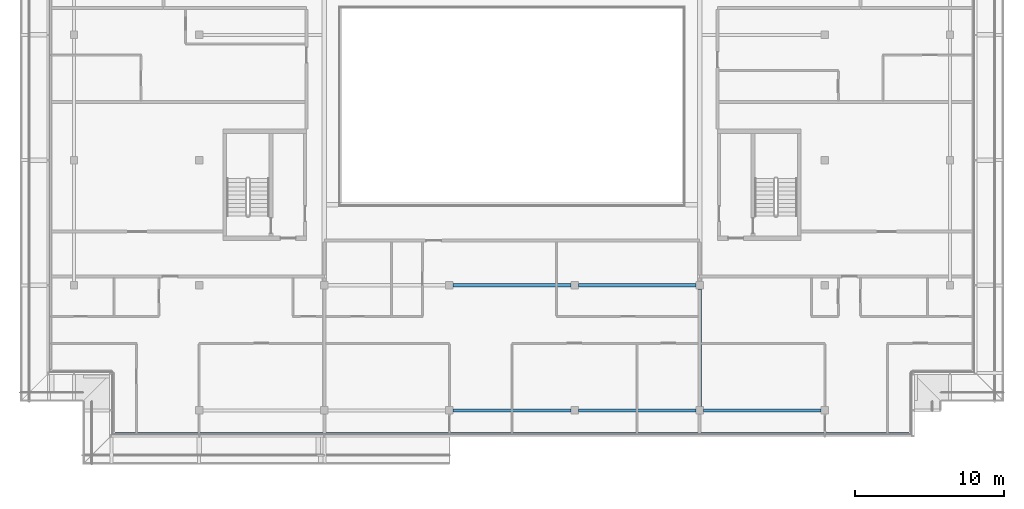
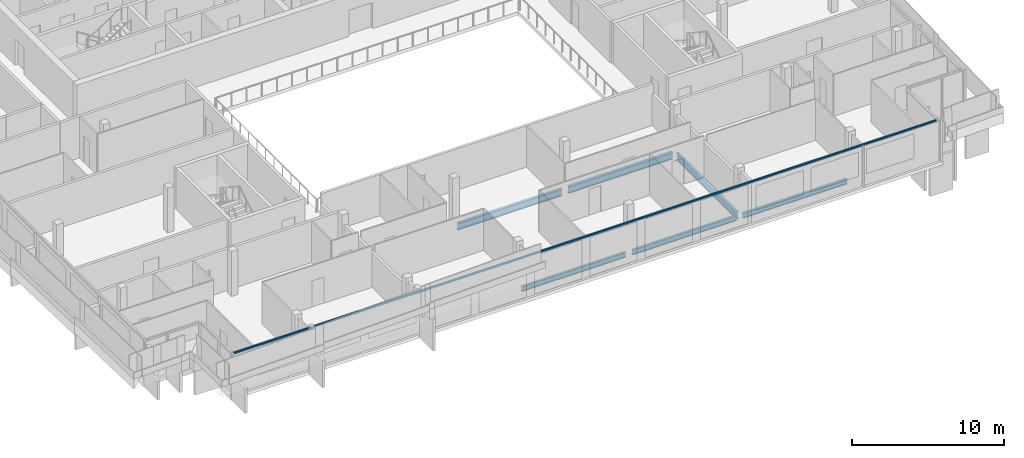
# One storey, part 5 of 27: 6 beams, 1 member, 1 element without a shape of its own.
"""IFC4 building model written with IfcOpenShell, lengths in metres."""

from ifc_helpers import new_model, si_unit, direction, frame, origin, origin_2d, place, context, subcontext, project, spatial, rectangle, i_section, extrude, material, material_profile, profile_set, type_object, element, aggregate, save


model = new_model("IFC4")

# Units and contexts
model_context = context("Model", 3, precision=1e-05, world=origin(), true_north=direction((0.0, 1.0)))
body_context = subcontext(model_context, "Body", "Model", "MODEL_VIEW")
ifc_project = project(units=[si_unit("LENGTHUNIT", "METRE"), si_unit("AREAUNIT", "SQUARE_METRE"), si_unit("VOLUMEUNIT", "CUBIC_METRE"), si_unit("PLANEANGLEUNIT", "RADIAN"), si_unit("MASSUNIT", "GRAM", prefix="KILO")], contexts=[model_context])

# Site, building, storey
site_placement = place(None, origin())
site = spatial("IfcSite", under=ifc_project, at=site_placement, CompositionType="ELEMENT")
building_placement = place(site_placement, origin())
building = spatial("IfcBuilding", under=site, at=building_placement, Name="Saffron Gate Tower", CompositionType="ELEMENT")
storey_placement = place(building_placement, frame((0.0, 0.0, 274.35009765625)))
storey = spatial("IfcBuildingStorey", under=building, at=storey_placement, Name="L66", CompositionType="ELEMENT", Elevation=274.35009765625)

# Beams
ifc_material_1 = material(Name="Structural steel S355", Category="steel")
ifc_material_profile_1 = material_profile(ifc_material_1, i_section(OverallWidth=0.2099609375, OverallDepth=0.550048828125, WebThickness=0.010986328125, FlangeThickness=0.01708984375, FilletRadius=0.02392578125, at=origin_2d()))
ifc_profile_set_1 = profile_set([ifc_material_profile_1], Name="Structural steel S355")
beam_type_1 = type_object("IfcBeamType", Name="B12 IPE 550", PredefinedType="BEAM", material=ifc_profile_set_1)
beam_1_placement = place(storey_placement, frame((100.199951171875, 32.050048828125, -0.55517578125), z_axis=(0.0, 1.0, 0.0), x_axis=(-1.0, 0.0, 0.0)))
element("IfcBeam", 1, at=beam_1_placement, inside=storey, type_object=beam_type_1, Name="B12 FLOOR GIRDER", PredefinedType="BEAM", context=body_context, shape_type="SweptSolid", body=[
    extrude(i_section(OverallWidth=0.2099609375, OverallDepth=0.550048828125, WebThickness=0.010986328125, FlangeThickness=0.01708984375, FilletRadius=0.02392578125, at=origin_2d()), origin(), (0.0, 0.0, 1.0), 7.89990234375),
])
beam_2_placement = place(storey_placement, frame((83.64990234375, 40.199951171875, -0.55517578125), z_axis=(1.0, 0.0, 0.0), x_axis=(0.0, 1.0, 0.0)))
element("IfcBeam", 2, at=beam_2_placement, inside=storey, type_object=beam_type_1, Name="B12 FLOOR GIRDER", PredefinedType="BEAM", context=body_context, shape_type="SweptSolid", body=[
    extrude(i_section(OverallWidth=0.2099609375, OverallDepth=0.550048828125, WebThickness=0.010986328125, FlangeThickness=0.01708984375, FilletRadius=0.02392578125, at=origin_2d()), origin(), (0.0, 0.0, 1.0), 7.900146484375),
])
beam_3_placement = place(storey_placement, frame((92.050048828125, 40.199951171875, -0.55517578125), z_axis=(1.0, 0.0, 0.0), x_axis=(0.0, 1.0, 0.0)))
element("IfcBeam", 3, at=beam_3_placement, inside=storey, type_object=beam_type_1, Name="B12 FLOOR GIRDER", PredefinedType="BEAM", context=body_context, shape_type="SweptSolid", body=[
    extrude(i_section(OverallWidth=0.2099609375, OverallDepth=0.550048828125, WebThickness=0.010986328125, FlangeThickness=0.01708984375, FilletRadius=0.02392578125, at=origin_2d()), origin(), (0.0, 0.0, 1.0), 7.89990234375),
])
ifc_material_profile_2 = material_profile(ifc_material_1, i_section(OverallWidth=0.179931640625, OverallDepth=0.39990234375, WebThickness=0.008544921875, FlangeThickness=0.013427734375, FilletRadius=0.02099609375, at=origin_2d()))
ifc_profile_set_2 = profile_set([ifc_material_profile_2], Name="Structural steel S355")
beam_type_2 = type_object("IfcBeamType", Name="B5 IPE 400", PredefinedType="SPANDREL", material=ifc_profile_set_2)
beam_4_placement = place(storey_placement, frame((83.64990234375, 31.800048828125, -0.47998046875), z_axis=(1.0, 0.0, 0.0), x_axis=(0.0, 1.0, 0.0)))
element("IfcBeam", 4, at=beam_4_placement, inside=storey, type_object=beam_type_2, Name="B5 SPANDREL BEAM", PredefinedType="SPANDREL", context=body_context, shape_type="SweptSolid", body=[
    extrude(i_section(OverallWidth=0.179931640625, OverallDepth=0.39990234375, WebThickness=0.008544921875, FlangeThickness=0.013427734375, FilletRadius=0.02099609375, at=origin_2d()), origin(), (0.0, 0.0, 1.0), 7.900146484375),
])
beam_5_placement = place(storey_placement, frame((92.050048828125, 31.800048828125, -0.47998046875), z_axis=(1.0, 0.0, 0.0), x_axis=(0.0, 1.0, 0.0)))
element("IfcBeam", 5, at=beam_5_placement, inside=storey, type_object=beam_type_2, Name="B5 SPANDREL BEAM", PredefinedType="SPANDREL", context=body_context, shape_type="SweptSolid", body=[
    extrude(i_section(OverallWidth=0.179931640625, OverallDepth=0.39990234375, WebThickness=0.008544921875, FlangeThickness=0.013427734375, FilletRadius=0.02099609375, at=origin_2d()), origin(), (0.0, 0.0, 1.0), 7.89990234375),
])
beam_6_placement = place(storey_placement, frame((100.449951171875, 31.800048828125, -0.47998046875), z_axis=(1.0, 0.0, 0.0), x_axis=(0.0, 1.0, 0.0)))
element("IfcBeam", 6, at=beam_6_placement, inside=storey, type_object=beam_type_2, Name="B5 SPANDREL BEAM", PredefinedType="SPANDREL", context=body_context, shape_type="SweptSolid", body=[
    extrude(i_section(OverallWidth=0.179931640625, OverallDepth=0.39990234375, WebThickness=0.008544921875, FlangeThickness=0.013427734375, FilletRadius=0.02099609375, at=origin_2d()), origin(), (0.0, 0.0, 1.0), 7.900146484375),
])

# Curtain wall, member
ifc_material_2 = material(Name="Aluminium, bronze anodised", Category="aluminium")
curtain_wall_type = type_object("IfcCurtainWallType", Name="CWS1 curtain wall front facade", PredefinedType="NOTDEFINED", material=ifc_material_2)
curtain_wall_placement = place(storey_placement, origin())
curtain_wall = element("IfcCurtainWall", 7, at=curtain_wall_placement, inside=storey, type_object=curtain_wall_type, Name="CWS1 run 1", PredefinedType="NOTDEFINED")
ifc_material_profile_3 = material_profile(ifc_material_2, rectangle(XDim=0.1201171875, YDim=0.1201171875, at=origin_2d()))
ifc_profile_set_3 = profile_set([ifc_material_profile_3], Name="Aluminium, bronze anodised")
member_type = type_object("IfcMemberType", Name="CWS1 head transom", PredefinedType="USERDEFINED", material=ifc_profile_set_3)
member_placement = place(storey_placement, frame((60.968017578125, 30.248046875, 3.260009765625), z_axis=(1.0, 0.0, 0.0), x_axis=(0.0, 1.0, 0.0)))
member = element("IfcMember", 8, at=member_placement, type_object=member_type, Name="CWS1 head transom", ObjectType="TRANSOM", PredefinedType="USERDEFINED", context=body_context, shape_type="SweptSolid", body=[
    extrude(rectangle(XDim=0.1201171875, YDim=0.1201171875, at=origin_2d()), origin(), (0.0, 0.0, 1.0), 53.263916015625),
])
aggregate(curtain_wall, [member])

save(model, "model.ifc")
